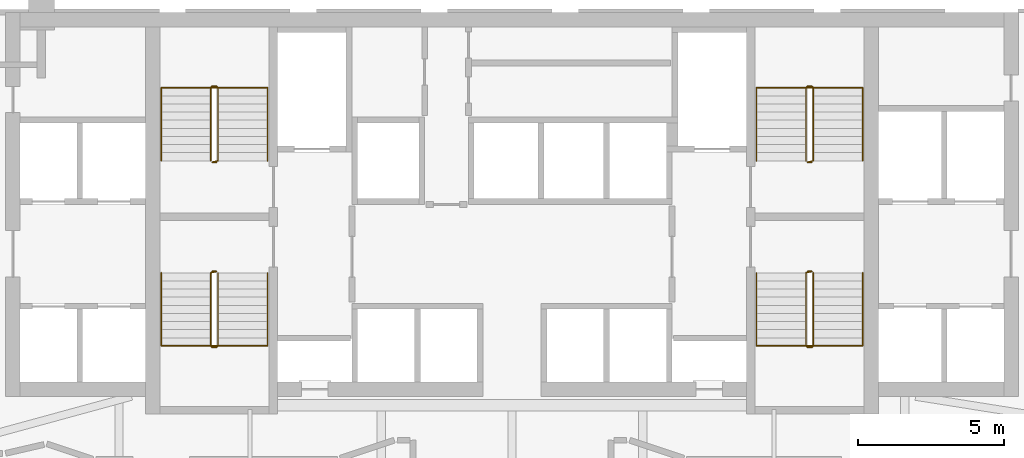
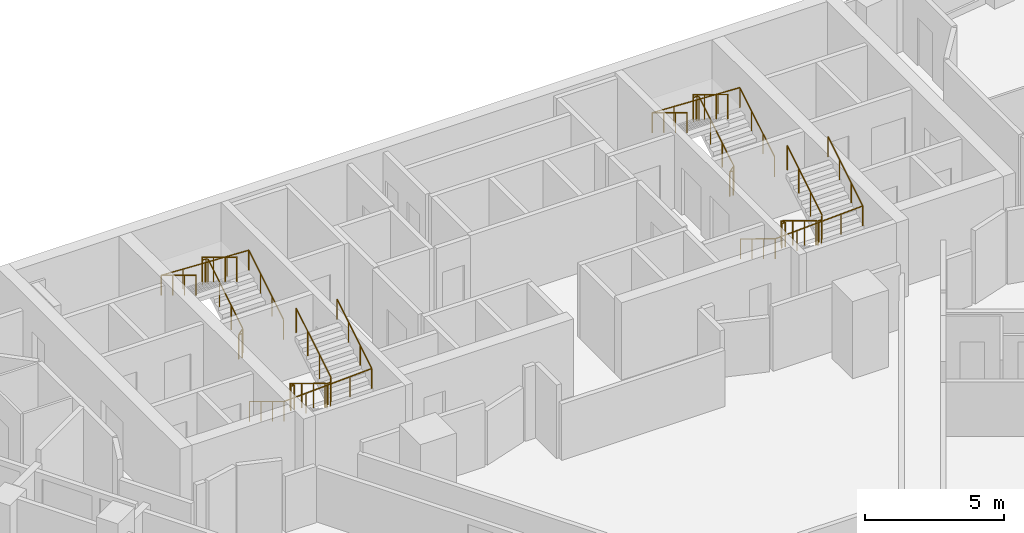
# One storey, part 10 of 10: 8 railings.
"""IFC4 building model written with IfcOpenShell, lengths in metres."""

from ifc_helpers import new_model, si_unit, direction, frame, origin, origin_2d, place, context, subcontext, project, spatial, circle, extrude, material, type_object, element, save


model = new_model("IFC4")

# Units and contexts
model_context = context("Model", 3, precision=1e-05, world=origin(), true_north=direction((0.0, 1.0)))
body_context = subcontext(model_context, "Body", "Model", "MODEL_VIEW")
ifc_project = project(units=[si_unit("LENGTHUNIT", "METRE"), si_unit("AREAUNIT", "SQUARE_METRE"), si_unit("VOLUMEUNIT", "CUBIC_METRE"), si_unit("PLANEANGLEUNIT", "RADIAN"), si_unit("MASSUNIT", "GRAM", prefix="KILO")], contexts=[model_context])

# Site, building, storey
site_placement = place(None, origin())
site = spatial("IfcSite", under=ifc_project, at=site_placement, CompositionType="ELEMENT")
building_placement = place(site_placement, origin())
building = spatial("IfcBuilding", under=site, at=building_placement, Name="Calabash Gate Tower", CompositionType="ELEMENT")
storey_placement = place(building_placement, frame((0.0, 0.0, 102.0)))
storey = spatial("IfcBuildingStorey", under=building, at=storey_placement, Name="L22", CompositionType="ELEMENT", Elevation=102.0)

# Railings
ifc_material_1 = material(Name="Black powder-coated steel balusters", Category="steel")
railing_type_1 = type_object("IfcRailingType", Name="Stair guard RL1100", PredefinedType="GUARDRAIL", material=ifc_material_1)
railing_1_placement = place(storey_placement, frame((-10.14990234375, 13.902587890625, 0.0)))
element("IfcRailing", 1, at=railing_1_placement, inside=storey, type_object=railing_type_1, Name="L22 ST1 stair guard 1", PredefinedType="GUARDRAIL", context=body_context, shape_type="SweptSolid", body=[
    extrude(circle(Radius=0.02392578125, at=origin_2d()), frame((0.0, 0.0, 1.076171875), z_axis=(-1.0, 0.0, 0.0), x_axis=(0.0, -1.0, 0.0)), (0.0, 0.0, 1.0), 0.150146484375),
    extrude(circle(Radius=0.02392578125, at=origin_2d()), frame((-0.150146484375, 0.0, 1.076171875), z_axis=(0.748514443355, 0.187357095101, 0.636100186295), x_axis=(-0.242814311512, 0.970072785993, 0.0)), (0.0, 0.0, 1.0), 0.26708984375),
    extrude(circle(Radius=0.02392578125, at=origin_2d()), frame((0.0498046875, 0.050048828125, 1.24609375), z_axis=(0.0, 0.853956361026, 0.520344629514), x_axis=(-1.0, 0.0, 0.0)), (0.0, 0.0, 1.0), 2.9404296875),
    extrude(circle(Radius=0.02392578125, at=origin_2d()), frame((0.0498046875, 2.56103515625, 2.77587890625), z_axis=(-0.705375805398, 0.708833529934, 0.0), x_axis=(-0.708833529934, -0.705375805398, 0.0)), (0.0, 0.0, 1.0), 0.070556640625),
    extrude(circle(Radius=0.02392578125, at=origin_2d()), frame((0.0, 2.611083984375, 2.77587890625), z_axis=(-1.0, 0.0, 0.0), x_axis=(0.0, -1.0, 0.0)), (0.0, 0.0, 1.0), 0.150146484375),
    extrude(circle(Radius=0.02392578125, at=origin_2d()), frame((-0.150146484375, 2.611083984375, 2.77587890625), z_axis=(-0.271562723297, -0.271562723297, 0.923313259209), x_axis=(0.707106781187, -0.707106781187, 0.0)), (0.0, 0.0, 1.0), 0.184326171875),
    extrude(circle(Radius=0.02392578125, at=origin_2d()), frame((-0.2001953125, 2.56103515625, 2.9462890625), z_axis=(0.0, -0.853993254676, 0.52028407718), x_axis=(1.0, 0.0, 0.0)), (0.0, 0.0, 1.0), 2.940185546875),
    extrude(circle(Radius=0.02099609375, at=origin_2d()), origin(), (0.0, 0.0, 1.0), 1.052001953125),
    extrude(circle(Radius=0.02099609375, at=origin_2d()), frame((-0.150146484375, 0.0, 0.0)), (0.0, 0.0, 1.0), 1.052001953125),
    extrude(circle(Radius=0.02099609375, at=origin_2d()), frame((0.0498046875, 0.050048828125, 0.169921875)), (0.0, 0.0, 1.0), 1.052001953125),
    extrude(circle(Radius=0.02099609375, at=origin_2d()), frame((0.0498046875, 0.886962890625, 0.679931640625)), (0.0, 0.0, 1.0), 1.052001953125),
    extrude(circle(Radius=0.02099609375, at=origin_2d()), frame((0.0498046875, 1.72412109375, 1.18994140625)), (0.0, 0.0, 1.0), 1.052001953125),
    extrude(circle(Radius=0.02099609375, at=origin_2d()), frame((0.0498046875, 2.56103515625, 1.699951171875)), (0.0, 0.0, 1.0), 1.052001953125),
    extrude(circle(Radius=0.02099609375, at=origin_2d()), frame((0.0, 2.611083984375, 1.699951171875)), (0.0, 0.0, 1.0), 1.052001953125),
    extrude(circle(Radius=0.02099609375, at=origin_2d()), frame((-0.150146484375, 2.611083984375, 1.699951171875)), (0.0, 0.0, 1.0), 1.052001953125),
    extrude(circle(Radius=0.02099609375, at=origin_2d()), frame((-0.2001953125, 2.56103515625, 1.8701171875)), (0.0, 0.0, 1.0), 1.052001953125),
    extrude(circle(Radius=0.02099609375, at=origin_2d()), frame((-0.2001953125, 1.72412109375, 2.380126953125)), (0.0, 0.0, 1.0), 1.052001953125),
    extrude(circle(Radius=0.02099609375, at=origin_2d()), frame((-0.2001953125, 0.886962890625, 2.889892578125)), (0.0, 0.0, 1.0), 1.052001953125),
    extrude(circle(Radius=0.02099609375, at=origin_2d()), frame((-0.2001953125, 0.050048828125, 3.39990234375)), (0.0, 0.0, 1.0), 1.052001953125),
])
railing_2_placement = place(storey_placement, frame((-10.300048828125, 10.152587890625, 0.0)))
element("IfcRailing", 2, at=railing_2_placement, inside=storey, type_object=railing_type_1, Name="L22 ST2 stair guard 1", PredefinedType="GUARDRAIL", context=body_context, shape_type="SweptSolid", body=[
    extrude(circle(Radius=0.02392578125, at=origin_2d()), frame((0.0, 0.0, 1.076171875), z_axis=(1.0, 0.0, 0.0), x_axis=(0.0, 1.0, 0.0)), (0.0, 0.0, 1.0), 0.150146484375),
    extrude(circle(Radius=0.02392578125, at=origin_2d()), frame((0.150146484375, 0.0, 1.076171875), z_axis=(-0.748915913269, -0.187228978317, 0.635665214189), x_axis=(0.242535625036, -0.970142500145, 0.0)), (0.0, 0.0, 1.0), 0.267333984375),
    extrude(circle(Radius=0.02392578125, at=origin_2d()), frame((-0.050048828125, -0.050048828125, 1.24609375), z_axis=(0.0, -0.853956361026, 0.520344629514), x_axis=(1.0, 0.0, 0.0)), (0.0, 0.0, 1.0), 2.9404296875),
    extrude(circle(Radius=0.02392578125, at=origin_2d()), frame((-0.050048828125, -2.56103515625, 2.77587890625), z_axis=(0.707106781187, -0.707106781187, 0.0), x_axis=(0.707106781187, 0.707106781187, 0.0)), (0.0, 0.0, 1.0), 0.07080078125),
    extrude(circle(Radius=0.02392578125, at=origin_2d()), frame((0.0, -2.611083984375, 2.77587890625), z_axis=(1.0, 0.0, 0.0), x_axis=(0.0, 1.0, 0.0)), (0.0, 0.0, 1.0), 0.150146484375),
    extrude(circle(Radius=0.02392578125, at=origin_2d()), frame((0.150146484375, -2.611083984375, 2.77587890625), z_axis=(0.270335057127, 0.271660228976, 0.923644778517), x_axis=(-0.708833529934, 0.705375805398, 0.0)), (0.0, 0.0, 1.0), 0.184326171875),
    extrude(circle(Radius=0.02392578125, at=origin_2d()), frame((0.199951171875, -2.56103515625, 2.9462890625), z_axis=(0.0, 0.853993254676, 0.52028407718), x_axis=(-1.0, 0.0, 0.0)), (0.0, 0.0, 1.0), 2.940185546875),
    extrude(circle(Radius=0.02099609375, at=origin_2d()), origin(), (0.0, 0.0, 1.0), 1.052001953125),
    extrude(circle(Radius=0.02099609375, at=origin_2d()), frame((0.150146484375, 0.0, 0.0)), (0.0, 0.0, 1.0), 1.052001953125),
    extrude(circle(Radius=0.02099609375, at=origin_2d()), frame((-0.050048828125, -0.050048828125, 0.169921875)), (0.0, 0.0, 1.0), 1.052001953125),
    extrude(circle(Radius=0.02099609375, at=origin_2d()), frame((-0.050048828125, -0.886962890625, 0.679931640625)), (0.0, 0.0, 1.0), 1.052001953125),
    extrude(circle(Radius=0.02099609375, at=origin_2d()), frame((-0.050048828125, -1.72412109375, 1.18994140625)), (0.0, 0.0, 1.0), 1.052001953125),
    extrude(circle(Radius=0.02099609375, at=origin_2d()), frame((-0.050048828125, -2.56103515625, 1.699951171875)), (0.0, 0.0, 1.0), 1.052001953125),
    extrude(circle(Radius=0.02099609375, at=origin_2d()), frame((0.0, -2.611083984375, 1.699951171875)), (0.0, 0.0, 1.0), 1.052001953125),
    extrude(circle(Radius=0.02099609375, at=origin_2d()), frame((0.150146484375, -2.611083984375, 1.699951171875)), (0.0, 0.0, 1.0), 1.052001953125),
    extrude(circle(Radius=0.02099609375, at=origin_2d()), frame((0.199951171875, -2.56103515625, 1.8701171875)), (0.0, 0.0, 1.0), 1.052001953125),
    extrude(circle(Radius=0.02099609375, at=origin_2d()), frame((0.199951171875, -1.72412109375, 2.380126953125)), (0.0, 0.0, 1.0), 1.052001953125),
    extrude(circle(Radius=0.02099609375, at=origin_2d()), frame((0.199951171875, -0.886962890625, 2.889892578125)), (0.0, 0.0, 1.0), 1.052001953125),
    extrude(circle(Radius=0.02099609375, at=origin_2d()), frame((0.199951171875, -0.050048828125, 3.39990234375)), (0.0, 0.0, 1.0), 1.052001953125),
])
railing_3_placement = place(storey_placement, frame((10.300048828125, 13.902587890625, 0.0)))
element("IfcRailing", 3, at=railing_3_placement, inside=storey, type_object=railing_type_1, Name="L22 ST3 stair guard 1", PredefinedType="GUARDRAIL", context=body_context, shape_type="SweptSolid", body=[
    extrude(circle(Radius=0.02392578125, at=origin_2d()), frame((0.0, 0.0, 1.076171875), z_axis=(-1.0, 0.0, 0.0), x_axis=(0.0, -1.0, 0.0)), (0.0, 0.0, 1.0), 0.150146484375),
    extrude(circle(Radius=0.02392578125, at=origin_2d()), frame((-0.150146484375, 0.0, 1.076171875), z_axis=(0.748915913269, 0.187228978317, 0.635665214189), x_axis=(-0.242535625036, 0.970142500145, 0.0)), (0.0, 0.0, 1.0), 0.267333984375),
    extrude(circle(Radius=0.02392578125, at=origin_2d()), frame((0.050048828125, 0.050048828125, 1.24609375), z_axis=(0.0, 0.853956361026, 0.520344629514), x_axis=(-1.0, 0.0, 0.0)), (0.0, 0.0, 1.0), 2.9404296875),
    extrude(circle(Radius=0.02392578125, at=origin_2d()), frame((0.050048828125, 2.56103515625, 2.77587890625), z_axis=(-0.707106781187, 0.707106781187, 0.0), x_axis=(-0.707106781187, -0.707106781187, 0.0)), (0.0, 0.0, 1.0), 0.07080078125),
    extrude(circle(Radius=0.02392578125, at=origin_2d()), frame((0.0, 2.611083984375, 2.77587890625), z_axis=(-1.0, 0.0, 0.0), x_axis=(0.0, -1.0, 0.0)), (0.0, 0.0, 1.0), 0.150146484375),
    extrude(circle(Radius=0.02392578125, at=origin_2d()), frame((-0.150146484375, 2.611083984375, 2.77587890625), z_axis=(-0.270335057127, -0.271660228976, 0.923644778517), x_axis=(0.708833529934, -0.705375805398, 0.0)), (0.0, 0.0, 1.0), 0.184326171875),
    extrude(circle(Radius=0.02392578125, at=origin_2d()), frame((-0.199951171875, 2.56103515625, 2.9462890625), z_axis=(0.0, -0.853993254676, 0.52028407718), x_axis=(1.0, 0.0, 0.0)), (0.0, 0.0, 1.0), 2.940185546875),
    extrude(circle(Radius=0.02099609375, at=origin_2d()), origin(), (0.0, 0.0, 1.0), 1.052001953125),
    extrude(circle(Radius=0.02099609375, at=origin_2d()), frame((-0.150146484375, 0.0, 0.0)), (0.0, 0.0, 1.0), 1.052001953125),
    extrude(circle(Radius=0.02099609375, at=origin_2d()), frame((0.050048828125, 0.050048828125, 0.169921875)), (0.0, 0.0, 1.0), 1.052001953125),
    extrude(circle(Radius=0.02099609375, at=origin_2d()), frame((0.050048828125, 0.886962890625, 0.679931640625)), (0.0, 0.0, 1.0), 1.052001953125),
    extrude(circle(Radius=0.02099609375, at=origin_2d()), frame((0.050048828125, 1.72412109375, 1.18994140625)), (0.0, 0.0, 1.0), 1.052001953125),
    extrude(circle(Radius=0.02099609375, at=origin_2d()), frame((0.050048828125, 2.56103515625, 1.699951171875)), (0.0, 0.0, 1.0), 1.052001953125),
    extrude(circle(Radius=0.02099609375, at=origin_2d()), frame((0.0, 2.611083984375, 1.699951171875)), (0.0, 0.0, 1.0), 1.052001953125),
    extrude(circle(Radius=0.02099609375, at=origin_2d()), frame((-0.150146484375, 2.611083984375, 1.699951171875)), (0.0, 0.0, 1.0), 1.052001953125),
    extrude(circle(Radius=0.02099609375, at=origin_2d()), frame((-0.199951171875, 2.56103515625, 1.8701171875)), (0.0, 0.0, 1.0), 1.052001953125),
    extrude(circle(Radius=0.02099609375, at=origin_2d()), frame((-0.199951171875, 1.72412109375, 2.380126953125)), (0.0, 0.0, 1.0), 1.052001953125),
    extrude(circle(Radius=0.02099609375, at=origin_2d()), frame((-0.199951171875, 0.886962890625, 2.889892578125)), (0.0, 0.0, 1.0), 1.052001953125),
    extrude(circle(Radius=0.02099609375, at=origin_2d()), frame((-0.199951171875, 0.050048828125, 3.39990234375)), (0.0, 0.0, 1.0), 1.052001953125),
])
railing_4_placement = place(storey_placement, frame((10.14990234375, 10.152587890625, 0.0)))
element("IfcRailing", 4, at=railing_4_placement, inside=storey, type_object=railing_type_1, Name="L22 ST4 stair guard 1", PredefinedType="GUARDRAIL", context=body_context, shape_type="SweptSolid", body=[
    extrude(circle(Radius=0.02392578125, at=origin_2d()), frame((0.0, 0.0, 1.076171875), z_axis=(1.0, 0.0, 0.0), x_axis=(0.0, 1.0, 0.0)), (0.0, 0.0, 1.0), 0.150146484375),
    extrude(circle(Radius=0.02392578125, at=origin_2d()), frame((0.150146484375, 0.0, 1.076171875), z_axis=(-0.748514443355, -0.187357095101, 0.636100186295), x_axis=(0.242814311512, -0.970072785993, 0.0)), (0.0, 0.0, 1.0), 0.26708984375),
    extrude(circle(Radius=0.02392578125, at=origin_2d()), frame((-0.0498046875, -0.050048828125, 1.24609375), z_axis=(0.0, -0.853956361026, 0.520344629514), x_axis=(1.0, 0.0, 0.0)), (0.0, 0.0, 1.0), 2.9404296875),
    extrude(circle(Radius=0.02392578125, at=origin_2d()), frame((-0.0498046875, -2.56103515625, 2.77587890625), z_axis=(0.705375805398, -0.708833529934, 0.0), x_axis=(0.708833529934, 0.705375805398, 0.0)), (0.0, 0.0, 1.0), 0.070556640625),
    extrude(circle(Radius=0.02392578125, at=origin_2d()), frame((0.0, -2.611083984375, 2.77587890625), z_axis=(1.0, 0.0, 0.0), x_axis=(0.0, 1.0, 0.0)), (0.0, 0.0, 1.0), 0.150146484375),
    extrude(circle(Radius=0.02392578125, at=origin_2d()), frame((0.150146484375, -2.611083984375, 2.77587890625), z_axis=(0.271562723297, 0.271562723297, 0.923313259209), x_axis=(-0.707106781187, 0.707106781187, 0.0)), (0.0, 0.0, 1.0), 0.184326171875),
    extrude(circle(Radius=0.02392578125, at=origin_2d()), frame((0.2001953125, -2.56103515625, 2.9462890625), z_axis=(0.0, 0.853993254676, 0.52028407718), x_axis=(-1.0, 0.0, 0.0)), (0.0, 0.0, 1.0), 2.940185546875),
    extrude(circle(Radius=0.02099609375, at=origin_2d()), origin(), (0.0, 0.0, 1.0), 1.052001953125),
    extrude(circle(Radius=0.02099609375, at=origin_2d()), frame((0.150146484375, 0.0, 0.0)), (0.0, 0.0, 1.0), 1.052001953125),
    extrude(circle(Radius=0.02099609375, at=origin_2d()), frame((-0.0498046875, -0.050048828125, 0.169921875)), (0.0, 0.0, 1.0), 1.052001953125),
    extrude(circle(Radius=0.02099609375, at=origin_2d()), frame((-0.0498046875, -0.886962890625, 0.679931640625)), (0.0, 0.0, 1.0), 1.052001953125),
    extrude(circle(Radius=0.02099609375, at=origin_2d()), frame((-0.0498046875, -1.72412109375, 1.18994140625)), (0.0, 0.0, 1.0), 1.052001953125),
    extrude(circle(Radius=0.02099609375, at=origin_2d()), frame((-0.0498046875, -2.56103515625, 1.699951171875)), (0.0, 0.0, 1.0), 1.052001953125),
    extrude(circle(Radius=0.02099609375, at=origin_2d()), frame((0.0, -2.611083984375, 1.699951171875)), (0.0, 0.0, 1.0), 1.052001953125),
    extrude(circle(Radius=0.02099609375, at=origin_2d()), frame((0.150146484375, -2.611083984375, 1.699951171875)), (0.0, 0.0, 1.0), 1.052001953125),
    extrude(circle(Radius=0.02099609375, at=origin_2d()), frame((0.2001953125, -2.56103515625, 1.8701171875)), (0.0, 0.0, 1.0), 1.052001953125),
    extrude(circle(Radius=0.02099609375, at=origin_2d()), frame((0.2001953125, -1.72412109375, 2.380126953125)), (0.0, 0.0, 1.0), 1.052001953125),
    extrude(circle(Radius=0.02099609375, at=origin_2d()), frame((0.2001953125, -0.886962890625, 2.889892578125)), (0.0, 0.0, 1.0), 1.052001953125),
    extrude(circle(Radius=0.02099609375, at=origin_2d()), frame((0.2001953125, -0.050048828125, 3.39990234375)), (0.0, 0.0, 1.0), 1.052001953125),
])
ifc_material_2 = material(Name="Black powder-coated steel tube 48 mm", Category="steel")
railing_type_2 = type_object("IfcRailingType", Name="Stair handrail RL900", PredefinedType="HANDRAIL", material=ifc_material_2)
railing_5_placement = place(storey_placement, frame((-8.39990234375, 13.95263671875, 0.169921875)))
element("IfcRailing", 5, at=railing_5_placement, inside=storey, type_object=railing_type_2, Name="L22 ST1 stair handrail 1", PredefinedType="HANDRAIL", context=body_context, shape_type="SweptSolid", body=[
    extrude(circle(Radius=0.02392578125, at=origin_2d()), frame((0.0, 0.0, 0.8759765625), z_axis=(0.0, 0.853956361026, 0.520344629514), x_axis=(-1.0, 0.0, 0.0)), (0.0, 0.0, 1.0), 2.9404296875),
    extrude(circle(Radius=0.02392578125, at=origin_2d()), frame((0.0, 2.510986328125, 2.40576171875), z_axis=(-0.99891510456, 0.0, 0.046568378562), x_axis=(0.0, -1.0, 0.0)), (0.0, 0.0, 1.0), 3.654052734375),
    extrude(circle(Radius=0.02392578125, at=origin_2d()), frame((-3.650146484375, 2.510986328125, 2.576171875), z_axis=(0.0, -0.853993254676, 0.52028407718), x_axis=(1.0, 0.0, 0.0)), (0.0, 0.0, 1.0), 2.940185546875),
    extrude(circle(Radius=0.02099609375, at=origin_2d()), origin(), (0.0, 0.0, 1.0), 0.851806640625),
    extrude(circle(Radius=0.02099609375, at=origin_2d()), frame((0.0, 0.8369140625, 0.510009765625)), (0.0, 0.0, 1.0), 0.851806640625),
    extrude(circle(Radius=0.02099609375, at=origin_2d()), frame((0.0, 1.674072265625, 1.02001953125)), (0.0, 0.0, 1.0), 0.851806640625),
    extrude(circle(Radius=0.02099609375, at=origin_2d()), frame((0.0, 2.510986328125, 1.530029296875)), (0.0, 0.0, 1.0), 0.851806640625),
    extrude(circle(Radius=0.02099609375, at=origin_2d()), frame((-0.91259765625, 2.510986328125, 1.572509765625)), (0.0, 0.0, 1.0), 0.851806640625),
    extrude(circle(Radius=0.02099609375, at=origin_2d()), frame((-1.8251953125, 2.510986328125, 1.615234375)), (0.0, 0.0, 1.0), 0.851806640625),
    extrude(circle(Radius=0.02099609375, at=origin_2d()), frame((-2.737548828125, 2.510986328125, 1.65771484375)), (0.0, 0.0, 1.0), 0.851806640625),
    extrude(circle(Radius=0.02099609375, at=origin_2d()), frame((-3.650146484375, 2.510986328125, 1.7001953125)), (0.0, 0.0, 1.0), 0.851806640625),
    extrude(circle(Radius=0.02099609375, at=origin_2d()), frame((-3.650146484375, 1.674072265625, 2.210205078125)), (0.0, 0.0, 1.0), 0.851806640625),
    extrude(circle(Radius=0.02099609375, at=origin_2d()), frame((-3.650146484375, 0.8369140625, 2.719970703125)), (0.0, 0.0, 1.0), 0.851806640625),
    extrude(circle(Radius=0.02099609375, at=origin_2d()), frame((-3.650146484375, 0.0, 3.22998046875)), (0.0, 0.0, 1.0), 0.851806640625),
])
railing_6_placement = place(storey_placement, frame((-12.050048828125, 10.1025390625, 0.169921875)))
element("IfcRailing", 6, at=railing_6_placement, inside=storey, type_object=railing_type_2, Name="L22 ST2 stair handrail 1", PredefinedType="HANDRAIL", context=body_context, shape_type="SweptSolid", body=[
    extrude(circle(Radius=0.02392578125, at=origin_2d()), frame((0.0, 0.0, 0.8759765625), z_axis=(0.0, -0.853956361026, 0.520344629514), x_axis=(1.0, 0.0, 0.0)), (0.0, 0.0, 1.0), 2.9404296875),
    extrude(circle(Radius=0.02392578125, at=origin_2d()), frame((0.0, -2.510986328125, 2.40576171875), z_axis=(0.99891510456, 0.0, 0.046568378562), x_axis=(0.0, 1.0, 0.0)), (0.0, 0.0, 1.0), 3.654052734375),
    extrude(circle(Radius=0.02392578125, at=origin_2d()), frame((3.650146484375, -2.510986328125, 2.576171875), z_axis=(0.0, 0.853993254676, 0.52028407718), x_axis=(-1.0, 0.0, 0.0)), (0.0, 0.0, 1.0), 2.940185546875),
    extrude(circle(Radius=0.02099609375, at=origin_2d()), origin(), (0.0, 0.0, 1.0), 0.851806640625),
    extrude(circle(Radius=0.02099609375, at=origin_2d()), frame((0.0, -0.8369140625, 0.510009765625)), (0.0, 0.0, 1.0), 0.851806640625),
    extrude(circle(Radius=0.02099609375, at=origin_2d()), frame((0.0, -1.674072265625, 1.02001953125)), (0.0, 0.0, 1.0), 0.851806640625),
    extrude(circle(Radius=0.02099609375, at=origin_2d()), frame((0.0, -2.510986328125, 1.530029296875)), (0.0, 0.0, 1.0), 0.851806640625),
    extrude(circle(Radius=0.02099609375, at=origin_2d()), frame((0.91259765625, -2.510986328125, 1.572509765625)), (0.0, 0.0, 1.0), 0.851806640625),
    extrude(circle(Radius=0.02099609375, at=origin_2d()), frame((1.8251953125, -2.510986328125, 1.615234375)), (0.0, 0.0, 1.0), 0.851806640625),
    extrude(circle(Radius=0.02099609375, at=origin_2d()), frame((2.737548828125, -2.510986328125, 1.65771484375)), (0.0, 0.0, 1.0), 0.851806640625),
    extrude(circle(Radius=0.02099609375, at=origin_2d()), frame((3.650146484375, -2.510986328125, 1.7001953125)), (0.0, 0.0, 1.0), 0.851806640625),
    extrude(circle(Radius=0.02099609375, at=origin_2d()), frame((3.650146484375, -1.674072265625, 2.210205078125)), (0.0, 0.0, 1.0), 0.851806640625),
    extrude(circle(Radius=0.02099609375, at=origin_2d()), frame((3.650146484375, -0.8369140625, 2.719970703125)), (0.0, 0.0, 1.0), 0.851806640625),
    extrude(circle(Radius=0.02099609375, at=origin_2d()), frame((3.650146484375, 0.0, 3.22998046875)), (0.0, 0.0, 1.0), 0.851806640625),
])
railing_7_placement = place(storey_placement, frame((12.050048828125, 13.95263671875, 0.169921875)))
element("IfcRailing", 7, at=railing_7_placement, inside=storey, type_object=railing_type_2, Name="L22 ST3 stair handrail 1", PredefinedType="HANDRAIL", context=body_context, shape_type="SweptSolid", body=[
    extrude(circle(Radius=0.02392578125, at=origin_2d()), frame((0.0, 0.0, 0.8759765625), z_axis=(0.0, 0.853956361026, 0.520344629514), x_axis=(-1.0, 0.0, 0.0)), (0.0, 0.0, 1.0), 2.9404296875),
    extrude(circle(Radius=0.02392578125, at=origin_2d()), frame((0.0, 2.510986328125, 2.40576171875), z_axis=(-0.99891510456, 0.0, 0.046568378562), x_axis=(0.0, -1.0, 0.0)), (0.0, 0.0, 1.0), 3.654052734375),
    extrude(circle(Radius=0.02392578125, at=origin_2d()), frame((-3.650146484375, 2.510986328125, 2.576171875), z_axis=(0.0, -0.853993254676, 0.52028407718), x_axis=(1.0, 0.0, 0.0)), (0.0, 0.0, 1.0), 2.940185546875),
    extrude(circle(Radius=0.02099609375, at=origin_2d()), origin(), (0.0, 0.0, 1.0), 0.851806640625),
    extrude(circle(Radius=0.02099609375, at=origin_2d()), frame((0.0, 0.8369140625, 0.510009765625)), (0.0, 0.0, 1.0), 0.851806640625),
    extrude(circle(Radius=0.02099609375, at=origin_2d()), frame((0.0, 1.674072265625, 1.02001953125)), (0.0, 0.0, 1.0), 0.851806640625),
    extrude(circle(Radius=0.02099609375, at=origin_2d()), frame((0.0, 2.510986328125, 1.530029296875)), (0.0, 0.0, 1.0), 0.851806640625),
    extrude(circle(Radius=0.02099609375, at=origin_2d()), frame((-0.91259765625, 2.510986328125, 1.572509765625)), (0.0, 0.0, 1.0), 0.851806640625),
    extrude(circle(Radius=0.02099609375, at=origin_2d()), frame((-1.8251953125, 2.510986328125, 1.615234375)), (0.0, 0.0, 1.0), 0.851806640625),
    extrude(circle(Radius=0.02099609375, at=origin_2d()), frame((-2.737548828125, 2.510986328125, 1.65771484375)), (0.0, 0.0, 1.0), 0.851806640625),
    extrude(circle(Radius=0.02099609375, at=origin_2d()), frame((-3.650146484375, 2.510986328125, 1.7001953125)), (0.0, 0.0, 1.0), 0.851806640625),
    extrude(circle(Radius=0.02099609375, at=origin_2d()), frame((-3.650146484375, 1.674072265625, 2.210205078125)), (0.0, 0.0, 1.0), 0.851806640625),
    extrude(circle(Radius=0.02099609375, at=origin_2d()), frame((-3.650146484375, 0.8369140625, 2.719970703125)), (0.0, 0.0, 1.0), 0.851806640625),
    extrude(circle(Radius=0.02099609375, at=origin_2d()), frame((-3.650146484375, 0.0, 3.22998046875)), (0.0, 0.0, 1.0), 0.851806640625),
])
railing_8_placement = place(storey_placement, frame((8.39990234375, 10.1025390625, 0.169921875)))
element("IfcRailing", 8, at=railing_8_placement, inside=storey, type_object=railing_type_2, Name="L22 ST4 stair handrail 1", PredefinedType="HANDRAIL", context=body_context, shape_type="SweptSolid", body=[
    extrude(circle(Radius=0.02392578125, at=origin_2d()), frame((0.0, 0.0, 0.8759765625), z_axis=(0.0, -0.853956361026, 0.520344629514), x_axis=(1.0, 0.0, 0.0)), (0.0, 0.0, 1.0), 2.9404296875),
    extrude(circle(Radius=0.02392578125, at=origin_2d()), frame((0.0, -2.510986328125, 2.40576171875), z_axis=(0.99891510456, 0.0, 0.046568378562), x_axis=(0.0, 1.0, 0.0)), (0.0, 0.0, 1.0), 3.654052734375),
    extrude(circle(Radius=0.02392578125, at=origin_2d()), frame((3.650146484375, -2.510986328125, 2.576171875), z_axis=(0.0, 0.853993254676, 0.52028407718), x_axis=(-1.0, 0.0, 0.0)), (0.0, 0.0, 1.0), 2.940185546875),
    extrude(circle(Radius=0.02099609375, at=origin_2d()), origin(), (0.0, 0.0, 1.0), 0.851806640625),
    extrude(circle(Radius=0.02099609375, at=origin_2d()), frame((0.0, -0.8369140625, 0.510009765625)), (0.0, 0.0, 1.0), 0.851806640625),
    extrude(circle(Radius=0.02099609375, at=origin_2d()), frame((0.0, -1.674072265625, 1.02001953125)), (0.0, 0.0, 1.0), 0.851806640625),
    extrude(circle(Radius=0.02099609375, at=origin_2d()), frame((0.0, -2.510986328125, 1.530029296875)), (0.0, 0.0, 1.0), 0.851806640625),
    extrude(circle(Radius=0.02099609375, at=origin_2d()), frame((0.91259765625, -2.510986328125, 1.572509765625)), (0.0, 0.0, 1.0), 0.851806640625),
    extrude(circle(Radius=0.02099609375, at=origin_2d()), frame((1.8251953125, -2.510986328125, 1.615234375)), (0.0, 0.0, 1.0), 0.851806640625),
    extrude(circle(Radius=0.02099609375, at=origin_2d()), frame((2.737548828125, -2.510986328125, 1.65771484375)), (0.0, 0.0, 1.0), 0.851806640625),
    extrude(circle(Radius=0.02099609375, at=origin_2d()), frame((3.650146484375, -2.510986328125, 1.7001953125)), (0.0, 0.0, 1.0), 0.851806640625),
    extrude(circle(Radius=0.02099609375, at=origin_2d()), frame((3.650146484375, -1.674072265625, 2.210205078125)), (0.0, 0.0, 1.0), 0.851806640625),
    extrude(circle(Radius=0.02099609375, at=origin_2d()), frame((3.650146484375, -0.8369140625, 2.719970703125)), (0.0, 0.0, 1.0), 0.851806640625),
    extrude(circle(Radius=0.02099609375, at=origin_2d()), frame((3.650146484375, 0.0, 3.22998046875)), (0.0, 0.0, 1.0), 0.851806640625),
])

save(model, "model.ifc")
